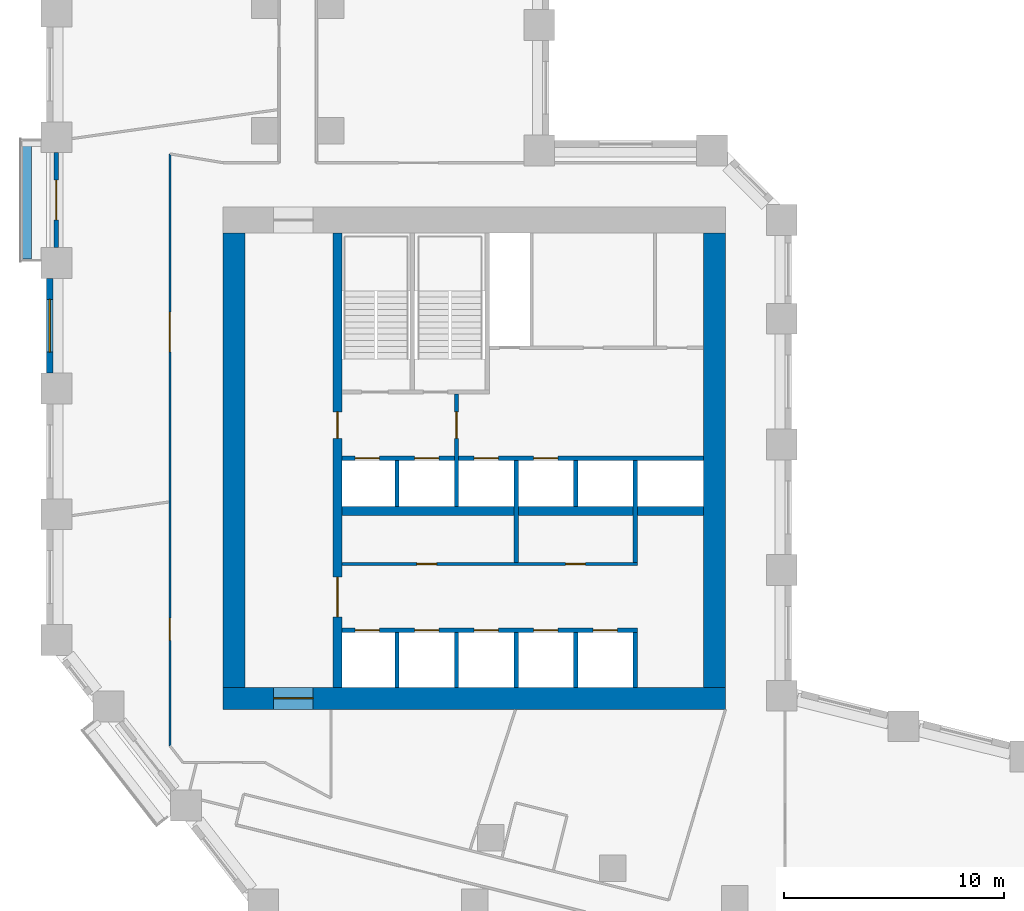
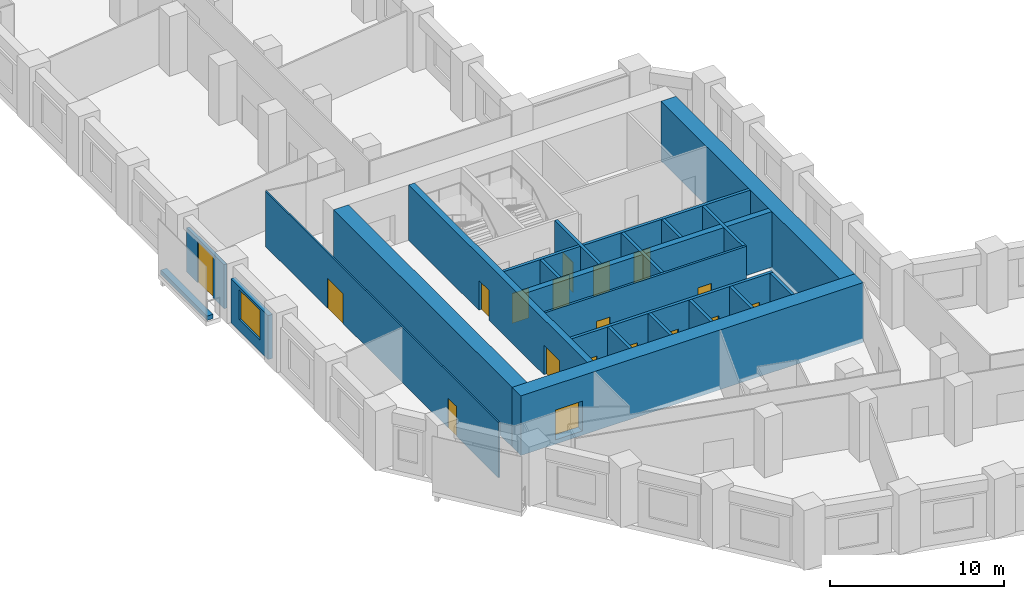
# One storey, part 5 of 12: 22 walls, 18 doors, 1 window, 19 openings.
"""IFC4 building model written with IfcOpenShell, lengths in metres."""

from ifc_helpers import new_model, si_unit, direction, frame, frame_2d, origin, place, context, subcontext, project, spatial, rectangle, extrude, material, layer, layer_set, type_object, element, fill, save


model = new_model("IFC4")

# Units and contexts
model_context = context("Model", 3, precision=1e-05, world=origin(), true_north=direction((0.0, 1.0)))
body_context = subcontext(model_context, "Body", "Model", "MODEL_VIEW")
ifc_project = project(units=[si_unit("LENGTHUNIT", "METRE"), si_unit("AREAUNIT", "SQUARE_METRE"), si_unit("VOLUMEUNIT", "CUBIC_METRE"), si_unit("PLANEANGLEUNIT", "RADIAN"), si_unit("MASSUNIT", "GRAM", prefix="KILO")], contexts=[model_context])

# Site, building, storey
site_placement = place(None, origin())
site = spatial("IfcSite", under=ifc_project, at=site_placement, CompositionType="ELEMENT")
building_placement = place(site_placement, origin())
building = spatial("IfcBuilding", under=site, at=building_placement, Name="Meshkara Civic Tower", CompositionType="ELEMENT")
storey_placement = place(building_placement, frame((0.0, 0.0, 58.199951171875)))
storey = spatial("IfcBuildingStorey", under=building, at=storey_placement, Name="L12", CompositionType="ELEMENT", Elevation=58.199951171875)

# Wall, openings, doors
ifc_material_1 = material(Name="Blockwork", Category="masonry")
ifc_layer_1 = layer(ifc_material_1, 0.14990234375)
ifc_layer_set_1 = layer_set([ifc_layer_1], Name="Core partition 150")
wall_type_1 = type_object("IfcWallType", Name="Core partition 150", PredefinedType="PARTITIONING", material=ifc_layer_set_1)
wall_1_placement = place(storey_placement, frame((13.39990234375, 20.699951171875, 0.0), z_axis=(0.0, 0.0, 1.0), x_axis=(1.0, 0.0, 0.0)))
wall_1 = element("IfcWall", 1, at=wall_1_placement, inside=storey, type_object=wall_type_1, Name="L12-C006", PredefinedType="PARTITIONING", context=body_context, shape_type="SweptSolid", body=[
    extrude(rectangle(XDim=13.400146484375, YDim=0.14990234375, at=frame_2d((6.7001953125, 0.0))), origin(), (0.0, 0.0, 1.0), 3.900146484375),
])
opening_1_placement = place(wall_1_placement, frame((3.39990234375, 0.0, 0.0)))
opening_1 = element("IfcOpeningElement", 2, at=opening_1_placement, cuts=wall_1, Name="Opening L12-K010", PredefinedType="OPENING", context=body_context, shape_type="SweptSolid", body=[
    extrude(rectangle(XDim=0.89990234375, YDim=2.10009765625, at=frame_2d((0.449951171875, 1.050048828125))), frame((0.0, 0.0849609375, 0.0), z_axis=(0.0, -1.0, 0.0), x_axis=(1.0, 0.0, 0.0)), (0.0, 0.0, 1.0), 0.169921875),
])
opening_2_placement = place(wall_1_placement, frame((10.14990234375, 0.0, 0.0)))
opening_2 = element("IfcOpeningElement", 3, at=opening_2_placement, cuts=wall_1, Name="Opening L12-K011", PredefinedType="OPENING", context=body_context, shape_type="SweptSolid", body=[
    extrude(rectangle(XDim=0.89990234375, YDim=2.10009765625, at=frame_2d((0.449951171875, 1.050048828125))), frame((0.0, 0.0849609375, 0.0), z_axis=(0.0, -1.0, 0.0), x_axis=(1.0, 0.0, 0.0)), (0.0, 0.0, 1.0), 0.169921875),
])
ifc_material_2 = material(Name="Timber door leaf in steel frame", Category="steel")
door_type_1 = type_object("IfcDoorType", Name="Core room door 900", OperationType="SINGLE_SWING_LEFT", PredefinedType="DOOR", material=ifc_material_2)
door_1_placement = place(opening_1_placement, origin())
door_1 = element("IfcDoor", 4, at=door_1_placement, inside=storey, type_object=door_type_1, Name="L12-K010", OperationType="SINGLE_SWING_RIGHT", OverallHeight=2.10009765625, OverallWidth=0.89990234375, PredefinedType="DOOR", context=body_context, shape_type="SweptSolid", body=[
    extrude(rectangle(XDim=0.89990234375, YDim=2.10009765625, at=frame_2d((0.449951171875, 1.050048828125))), frame((0.0, 0.02490234375, 0.0), z_axis=(0.0, -1.0, 0.0), x_axis=(1.0, 0.0, 0.0)), (0.0, 0.0, 1.0), 0.050048828125),
])
fill(opening_1, door_1)
door_2_placement = place(opening_2_placement, origin())
door_2 = element("IfcDoor", 5, at=door_2_placement, inside=storey, type_object=door_type_1, Name="L12-K011", OperationType="SINGLE_SWING_RIGHT", OverallHeight=2.10009765625, OverallWidth=0.89990234375, PredefinedType="DOOR", context=body_context, shape_type="SweptSolid", body=[
    extrude(rectangle(XDim=0.89990234375, YDim=2.10009765625, at=frame_2d((0.449951171875, 1.050048828125))), frame((0.0, 0.02490234375, 0.0), z_axis=(0.0, -1.0, 0.0), x_axis=(1.0, 0.0, 0.0)), (0.0, 0.0, 1.0), 0.050048828125),
])
fill(opening_2, door_2)

# Wall, opening, door
ifc_material_3 = material(Name="Concrete C80", Category="concrete")
ifc_layer_2 = layer(ifc_material_3, 1.0)
ifc_layer_set_2 = layer_set([ifc_layer_2], Name="Core ring wall 1000 C80")
wall_type_2 = type_object("IfcWallType", Name="Core ring wall 1000 C80", PredefinedType="SHEAR", material=ifc_layer_set_2)
wall_2_placement = place(storey_placement, frame((8.0, 14.60009765625, -0.300048828125), z_axis=(0.0, 0.0, 1.0), x_axis=(1.0, 0.0, 0.0)))
wall_2 = element("IfcWall", 6, at=wall_2_placement, inside=storey, type_object=wall_type_2, Name="L12-C001", PredefinedType="SHEAR", context=body_context, shape_type="SweptSolid", body=[
    extrude(rectangle(XDim=22.800048828125, YDim=1.0, at=frame_2d((11.39990234375, 0.0))), origin(), (0.0, 0.0, 1.0), 4.2001953125),
])
opening_3_placement = place(wall_2_placement, frame((2.300048828125, 0.0, 0.300048828125)))
opening_3 = element("IfcOpeningElement", 7, at=opening_3_placement, cuts=wall_2, Name="Opening L12-K021", PredefinedType="OPENING", context=body_context, shape_type="SweptSolid", body=[
    extrude(rectangle(XDim=1.800048828125, YDim=2.10009765625, at=frame_2d((0.89990234375, 1.050048828125))), frame((0.0, 0.510009765625, 0.0), z_axis=(0.0, -1.0, 0.0), x_axis=(1.0, 0.0, 0.0)), (0.0, 0.0, 1.0), 1.02001953125),
])
ifc_material_4 = material(Name="Fire-rated door leaf in steel frame", Category="steel")
door_type_2 = type_object("IfcDoorType", Name="Core double door 1800 EI 60", OperationType="DOUBLE_DOOR_SINGLE_SWING", PredefinedType="DOOR", material=ifc_material_4)
door_3_placement = place(opening_3_placement, origin())
door_3 = element("IfcDoor", 8, at=door_3_placement, inside=storey, type_object=door_type_2, Name="L12-K021", OperationType="DOUBLE_DOOR_SINGLE_SWING", OverallHeight=2.10009765625, OverallWidth=1.800048828125, PredefinedType="DOOR", context=body_context, shape_type="SweptSolid", body=[
    extrude(rectangle(XDim=1.800048828125, YDim=2.10009765625, at=frame_2d((0.89990234375, 1.050048828125))), frame((0.0, 0.02490234375, 0.0), z_axis=(0.0, -1.0, 0.0), x_axis=(1.0, 0.0, 0.0)), (0.0, 0.0, 1.0), 0.050048828125),
])
fill(opening_3, door_3)

# Walls
for number, where, z_axis, x_axis, name in (
    (9, (8.5, 15.10009765625, -0.300048828125), (0.0, 0.0, 1.0), (0.0, 1.0, 0.0), "L12-C003"),
    (10, (30.300048828125, 15.10009765625, -0.300048828125), (0.0, 0.0, 1.0), (0.0, 1.0, 0.0), "L12-C004"),
):
    element("IfcWall", number, at=place(storey_placement, frame(where, z_axis=z_axis, x_axis=x_axis)), inside=storey, type_object=wall_type_2, Name=name, PredefinedType="SHEAR", context=body_context, shape_type="SweptSolid", body=[
        extrude(rectangle(XDim=20.599853515625, YDim=1.0, at=frame_2d((10.2998046875, 0.0))), origin(), (0.0, 0.0, 1.0), 4.2001953125),
    ])
ifc_material_5 = material(Name="Concrete C80", Category="concrete")
ifc_layer_3 = layer(ifc_material_5, 0.39990234375)
ifc_layer_set_3 = layer_set([ifc_layer_3], Name="Core shear wall 400 C80")
wall_type_3 = type_object("IfcWallType", Name="Core shear wall 400 C80", PredefinedType="SHEAR", material=ifc_layer_set_3)
wall_3_placement = place(storey_placement, frame((13.39990234375, 23.10009765625, 0.0), z_axis=(0.0, 0.0, 1.0), x_axis=(1.0, 0.0, 0.0)))
element("IfcWall", 11, at=wall_3_placement, inside=storey, type_object=wall_type_3, Name="L12-C007", PredefinedType="SHEAR", context=body_context, shape_type="SweptSolid", body=[
    extrude(rectangle(XDim=16.400146484375, YDim=0.39990234375, at=frame_2d((8.2001953125, 0.0))), origin(), (0.0, 0.0, 1.0), 3.900146484375),
])

# Wall, openings, doors
wall_4_placement = place(storey_placement, frame((13.199951171875, 15.10009765625, 0.0), z_axis=(0.0, 0.0, 1.0), x_axis=(0.0, 1.0, 0.0)))
wall_4 = element("IfcWall", 12, at=wall_4_placement, inside=storey, type_object=wall_type_3, Name="L12-C011", PredefinedType="SHEAR", context=body_context, shape_type="SweptSolid", body=[
    extrude(rectangle(XDim=20.599853515625, YDim=0.39990234375, at=frame_2d((10.2998046875, 0.0))), origin(), (0.0, 0.0, 1.0), 3.900146484375),
])
opening_4_placement = place(wall_4_placement, frame((3.199951171875, 0.0, 0.0)))
opening_4 = element("IfcOpeningElement", 13, at=opening_4_placement, cuts=wall_4, Name="Opening L12-K017", PredefinedType="OPENING", context=body_context, shape_type="SweptSolid", body=[
    extrude(rectangle(XDim=1.800048828125, YDim=2.10009765625, at=frame_2d((0.89990234375, 1.050048828125))), frame((0.0, 0.2099609375, 0.0), z_axis=(0.0, -1.0, 0.0), x_axis=(1.0, 0.0, 0.0)), (0.0, 0.0, 1.0), 0.419921875),
])
opening_5_placement = place(wall_4_placement, frame((11.300048828125, 0.0, 0.0)))
opening_5 = element("IfcOpeningElement", 14, at=opening_5_placement, cuts=wall_4, Name="Opening L12-K018", PredefinedType="OPENING", context=body_context, shape_type="SweptSolid", body=[
    extrude(rectangle(XDim=1.199951171875, YDim=2.10009765625, at=frame_2d((0.60009765625, 1.050048828125))), frame((0.0, 0.2099609375, 0.0), z_axis=(0.0, -1.0, 0.0), x_axis=(1.0, 0.0, 0.0)), (0.0, 0.0, 1.0), 0.419921875),
])
door_4_placement = place(opening_4_placement, origin())
door_4 = element("IfcDoor", 15, at=door_4_placement, inside=storey, type_object=door_type_2, Name="L12-K017", OperationType="DOUBLE_DOOR_SINGLE_SWING", OverallHeight=2.10009765625, OverallWidth=1.800048828125, PredefinedType="DOOR", context=body_context, shape_type="SweptSolid", body=[
    extrude(rectangle(XDim=1.800048828125, YDim=2.10009765625, at=frame_2d((0.89990234375, 1.050048828125))), frame((0.0, 0.02490234375, 0.0), z_axis=(0.0, -1.0, 0.0), x_axis=(1.0, 0.0, 0.0)), (0.0, 0.0, 1.0), 0.050048828125),
])
fill(opening_4, door_4)
ifc_material_6 = material(Name="Fire-rated door leaf in steel frame", Category="steel")
door_type_3 = type_object("IfcDoorType", Name="Fire-fighting lobby door 1200 EI 120", OperationType="SINGLE_SWING_LEFT", PredefinedType="DOOR", material=ifc_material_6)
door_5_placement = place(opening_5_placement, origin())
door_5 = element("IfcDoor", 16, at=door_5_placement, inside=storey, type_object=door_type_3, Name="L12-K018", OperationType="SINGLE_SWING_LEFT", OverallHeight=2.10009765625, OverallWidth=1.199951171875, PredefinedType="DOOR", context=body_context, shape_type="SweptSolid", body=[
    extrude(rectangle(XDim=1.199951171875, YDim=2.10009765625, at=frame_2d((0.60009765625, 1.050048828125))), frame((0.0, 0.02490234375, 0.0), z_axis=(0.0, -1.0, 0.0), x_axis=(1.0, 0.0, 0.0)), (0.0, 0.0, 1.0), 0.050048828125),
])
fill(opening_5, door_5)

ifc_material_7 = material(Name="Corridor wall 100")
ifc_layer_4 = layer(ifc_material_7, 0.10009765625)
ifc_layer_set_4 = layer_set([ifc_layer_4], Name="Corridor wall 100")
wall_type_4 = type_object("IfcWallType", Name="Corridor wall 100", PredefinedType="PARTITIONING", material=ifc_layer_set_4)
wall_5_placement = place(storey_placement, frame((5.60009765625, 39.300048828125, 0.0), z_axis=(0.0, 0.0, 1.0), x_axis=(0.0, -1.0, 0.0)))
wall_5 = element("IfcWall", 17, at=wall_5_placement, inside=storey, type_object=wall_type_4, Name="L12-W004", PredefinedType="PARTITIONING", context=body_context, shape_type="SweptSolid", body=[
    extrude(rectangle(XDim=26.85107421875, YDim=0.10009765625, at=frame_2d((13.425537109375, 0.0))), origin(), (0.0, 0.0, 1.0), 3.900146484375),
])
opening_6_placement = place(wall_5_placement, frame((21.06298828125, 0.0, 0.0)))
opening_6 = element("IfcOpeningElement", 18, at=opening_6_placement, cuts=wall_5, Name="Opening L12-D017", PredefinedType="OPENING", context=body_context, shape_type="SweptSolid", body=[
    extrude(rectangle(XDim=1.0, YDim=2.10009765625, at=frame_2d((0.5, 1.050048828125))), frame((0.0, 0.06005859375, 0.0), z_axis=(0.0, -1.0, 0.0), x_axis=(1.0, 0.0, 0.0)), (0.0, 0.0, 1.0), 0.1201171875),
])
opening_7_placement = place(wall_5_placement, frame((7.179931640625, 0.0, 0.0)))
opening_7 = element("IfcOpeningElement", 19, at=opening_7_placement, cuts=wall_5, Name="Opening L12-D018", PredefinedType="OPENING", context=body_context, shape_type="SweptSolid", body=[
    extrude(rectangle(XDim=1.800048828125, YDim=2.10009765625, at=frame_2d((0.89990234375, 1.050048828125))), frame((0.0, 0.06005859375, 0.0), z_axis=(0.0, -1.0, 0.0), x_axis=(1.0, 0.0, 0.0)), (0.0, 0.0, 1.0), 0.1201171875),
])
ifc_material_8 = material(Name="Door 1000 x 2100")
door_type_4 = type_object("IfcDoorType", Name="Door 1000 x 2100", OperationType="SINGLE_SWING_LEFT", PredefinedType="DOOR", material=ifc_material_8)
door_6_placement = place(opening_6_placement, origin())
door_6 = element("IfcDoor", 20, at=door_6_placement, inside=storey, type_object=door_type_4, Name="L12-D017", OperationType="SINGLE_SWING_LEFT", OverallHeight=2.10009765625, OverallWidth=1.0, PredefinedType="DOOR", context=body_context, shape_type="SweptSolid", body=[
    extrude(rectangle(XDim=1.0, YDim=2.10009765625, at=frame_2d((0.5, 1.050048828125))), frame((0.0, 0.02490234375, 0.0), z_axis=(0.0, -1.0, 0.0), x_axis=(1.0, 0.0, 0.0)), (0.0, 0.0, 1.0), 0.050048828125),
])
fill(opening_6, door_6)
ifc_material_9 = material(Name="Door pair 1800 x 2100")
door_type_5 = type_object("IfcDoorType", Name="Door pair 1800 x 2100", OperationType="SINGLE_SWING_LEFT", PredefinedType="DOOR", material=ifc_material_9)
door_7_placement = place(opening_7_placement, origin())
door_7 = element("IfcDoor", 21, at=door_7_placement, inside=storey, type_object=door_type_5, Name="L12-D018", OperationType="DOUBLE_DOOR_SINGLE_SWING", OverallHeight=2.10009765625, OverallWidth=1.800048828125, PredefinedType="DOOR", context=body_context, shape_type="SweptSolid", body=[
    extrude(rectangle(XDim=1.800048828125, YDim=2.10009765625, at=frame_2d((0.89990234375, 1.050048828125))), frame((0.0, 0.02490234375, 0.0), z_axis=(0.0, -1.0, 0.0), x_axis=(1.0, 0.0, 0.0)), (0.0, 0.0, 1.0), 0.050048828125),
])
fill(opening_7, door_7)

# Wall, opening, window
ifc_material_10 = material(Name="Insulated infill panel with bronze anodised aluminium cladding", Category="aluminium")
ifc_layer_5 = layer(ifc_material_10, 0.300048828125)
ifc_layer_set_5 = layer_set([ifc_layer_5], Name="EXTERNAL INFILL WALL 300")
wall_type_5 = type_object("IfcWallType", Name="EXTERNAL INFILL WALL 300", PredefinedType="SOLIDWALL", material=ifc_layer_set_5)
wall_6_placement = place(storey_placement, frame((0.14990234375, 33.655029296875, 0.0), z_axis=(0.0, 0.0, 1.0), x_axis=(0.0, -1.0, 0.0)))
wall_6 = element("IfcWall", 22, at=wall_6_placement, inside=storey, type_object=wall_type_5, Name="External wall", PredefinedType="SOLIDWALL", context=body_context, shape_type="SweptSolid", body=[
    extrude(rectangle(XDim=4.300048828125, YDim=0.300048828125, at=frame_2d((2.14990234375, 0.0))), origin(), (0.0, 0.0, 1.0), 3.10009765625),
])
opening_8_placement = place(wall_6_placement, frame((0.949951171875, 0.0, 0.800048828125)))
opening_8 = element("IfcOpeningElement", 23, at=opening_8_placement, cuts=wall_6, Name="Opening W7", PredefinedType="OPENING", context=body_context, shape_type="SweptSolid", body=[
    extrude(rectangle(XDim=2.39990234375, YDim=2.10009765625, at=frame_2d((1.199951171875, 1.050048828125))), frame((0.0, 0.159912109375, 0.0), z_axis=(0.0, -1.0, 0.0), x_axis=(1.0, 0.0, 0.0)), (0.0, 0.0, 1.0), 0.320068359375),
])
ifc_material_11 = material(Name="Tinted double glazing", Category="glass")
window_type = type_object("IfcWindowType", Name="WINDOW 2400x2100", PartitioningType="DOUBLE_PANEL_VERTICAL", PredefinedType="WINDOW", material=ifc_material_11)
window_placement = place(opening_8_placement, origin())
window = element("IfcWindow", 24, at=window_placement, inside=storey, type_object=window_type, Name="Window", OverallHeight=2.10009765625, OverallWidth=2.39990234375, PartitioningType="DOUBLE_PANEL_VERTICAL", PredefinedType="WINDOW", context=body_context, shape_type="SweptSolid", body=[
    extrude(rectangle(XDim=2.39990234375, YDim=2.10009765625, at=frame_2d((1.199951171875, 1.050048828125))), frame((0.0, 0.030029296875, 0.0), z_axis=(0.0, -1.0, 0.0), x_axis=(1.0, 0.0, 0.0)), (0.0, 0.0, 1.0), 0.06005859375),
])
fill(opening_8, window)

# Wall, opening, door
ifc_material_12 = material(Name="Insulated infill panel with bronze anodised aluminium cladding", Category="aluminium")
ifc_layer_6 = layer(ifc_material_12, 0.199951171875)
ifc_layer_set_6 = layer_set([ifc_layer_6], Name="LOGGIA BACK WALL 200")
wall_type_6 = type_object("IfcWallType", Name="LOGGIA BACK WALL 200", PredefinedType="SOLIDWALL", material=ifc_layer_set_6)
wall_7_placement = place(storey_placement, frame((0.449951171875, 39.35400390625, 0.0), z_axis=(0.0, 0.0, 1.0), x_axis=(0.0, -1.0, 0.0)))
wall_7 = element("IfcWall", 25, at=wall_7_placement, inside=storey, type_object=wall_type_6, Name="Loggia wall", PredefinedType="SOLIDWALL", context=body_context, shape_type="SweptSolid", body=[
    extrude(rectangle(XDim=4.298095703125, YDim=0.199951171875, at=frame_2d((2.14892578125, 0.0))), origin(), (0.0, 0.0, 1.0), 3.10009765625),
])
opening_9_placement = place(wall_7_placement, frame((1.2490234375, 0.0, 0.0)))
opening_9 = element("IfcOpeningElement", 26, at=opening_9_placement, cuts=wall_7, Name="Opening L12-L002", PredefinedType="OPENING", context=body_context, shape_type="SweptSolid", body=[
    extrude(rectangle(XDim=1.800048828125, YDim=2.89990234375, at=frame_2d((0.89990234375, 1.449951171875))), frame((0.0, 0.10986328125, 0.0), z_axis=(0.0, -1.0, 0.0), x_axis=(1.0, 0.0, 0.0)), (0.0, 0.0, 1.0), 0.219970703125),
])
ifc_material_13 = material(Name="Tinted double glazing", Category="glass")
door_type_6 = type_object("IfcDoorType", Name="LOGGIA DOOR 1800x2900", OperationType="DOUBLE_DOOR_SINGLE_SWING", PredefinedType="DOOR", material=ifc_material_13)
door_8_placement = place(opening_9_placement, origin())
door_8 = element("IfcDoor", 27, at=door_8_placement, inside=storey, type_object=door_type_6, Name="L12-L002", OperationType="DOUBLE_DOOR_SINGLE_SWING", OverallHeight=2.89990234375, OverallWidth=1.800048828125, PredefinedType="DOOR", context=body_context, shape_type="SweptSolid", body=[
    extrude(rectangle(XDim=1.800048828125, YDim=2.89990234375, at=frame_2d((0.89990234375, 1.449951171875))), frame((0.0, 0.02490234375, 0.0), z_axis=(0.0, -1.0, 0.0), x_axis=(1.0, 0.0, 0.0)), (0.0, 0.0, 1.0), 0.050048828125),
])
fill(opening_9, door_8)

# Wall
ifc_material_14 = material(Name="Concrete C40", Category="concrete")
ifc_layer_7 = layer(ifc_material_14, 0.39990234375)
ifc_layer_set_7 = layer_set([ifc_layer_7], Name="PLANTER TRAY")
wall_type_7 = type_object("IfcWallType", Name="PLANTER TRAY", PredefinedType="SOLIDWALL", material=ifc_layer_set_7)
wall_8_placement = place(storey_placement, frame((-0.8798828125, 39.885009765625, 0.0), z_axis=(0.0, 0.0, 1.0), x_axis=(0.0, -1.0, 0.0)))
element("IfcWall", 28, at=wall_8_placement, inside=storey, type_object=wall_type_7, Name="Planter", PredefinedType="SOLIDWALL", context=body_context, shape_type="SweptSolid", body=[
    extrude(rectangle(XDim=5.360107421875, YDim=0.39990234375, at=frame_2d((2.68017578125, 0.0))), origin(), (0.0, 0.0, 1.0), 0.300048828125),
])

# Wall, openings, doors
ifc_material_15 = material(Name="Concrete C40/50", Category="concrete")
ifc_layer_8 = layer(ifc_material_15, 0.199951171875)
ifc_layer_set_8 = layer_set([ifc_layer_8], Name="Shaft wall 200 C40/50")
wall_type_8 = type_object("IfcWallType", Name="Shaft wall 200 C40/50", PredefinedType="SOLIDWALL", material=ifc_layer_set_8)
wall_9_placement = place(storey_placement, frame((13.39990234375, 17.699951171875, 0.0), z_axis=(0.0, 0.0, 1.0), x_axis=(1.0, 0.0, 0.0)))
wall_9 = element("IfcWall", 29, at=wall_9_placement, inside=storey, type_object=wall_type_8, Name="L12-C005", PredefinedType="SOLIDWALL", context=body_context, shape_type="SweptSolid", body=[
    extrude(rectangle(XDim=13.400146484375, YDim=0.199951171875, at=frame_2d((6.7001953125, 0.0))), origin(), (0.0, 0.0, 1.0), 3.900146484375),
])
opening_10_placement = place(wall_9_placement, frame((0.60009765625, 0.0, 0.0)))
opening_10 = element("IfcOpeningElement", 30, at=opening_10_placement, cuts=wall_9, Name="Opening L12-K001", PredefinedType="OPENING", context=body_context, shape_type="SweptSolid", body=[
    extrude(rectangle(XDim=1.10009765625, YDim=2.10009765625, at=frame_2d((0.550048828125, 1.050048828125))), frame((0.0, 0.10986328125, 0.0), z_axis=(0.0, -1.0, 0.0), x_axis=(1.0, 0.0, 0.0)), (0.0, 0.0, 1.0), 0.219970703125),
])
opening_11_placement = place(wall_9_placement, frame((3.300048828125, 0.0, 0.0)))
opening_11 = element("IfcOpeningElement", 31, at=opening_11_placement, cuts=wall_9, Name="Opening L12-K002", PredefinedType="OPENING", context=body_context, shape_type="SweptSolid", body=[
    extrude(rectangle(XDim=1.10009765625, YDim=2.10009765625, at=frame_2d((0.550048828125, 1.050048828125))), frame((0.0, 0.10986328125, 0.0), z_axis=(0.0, -1.0, 0.0), x_axis=(1.0, 0.0, 0.0)), (0.0, 0.0, 1.0), 0.219970703125),
])
opening_12_placement = place(wall_9_placement, frame((6.0, 0.0, 0.0)))
opening_12 = element("IfcOpeningElement", 32, at=opening_12_placement, cuts=wall_9, Name="Opening L12-K003", PredefinedType="OPENING", context=body_context, shape_type="SweptSolid", body=[
    extrude(rectangle(XDim=1.10009765625, YDim=2.10009765625, at=frame_2d((0.550048828125, 1.050048828125))), frame((0.0, 0.10986328125, 0.0), z_axis=(0.0, -1.0, 0.0), x_axis=(1.0, 0.0, 0.0)), (0.0, 0.0, 1.0), 0.219970703125),
])
opening_13_placement = place(wall_9_placement, frame((8.699951171875, 0.0, 0.0)))
opening_13 = element("IfcOpeningElement", 33, at=opening_13_placement, cuts=wall_9, Name="Opening L12-K004", PredefinedType="OPENING", context=body_context, shape_type="SweptSolid", body=[
    extrude(rectangle(XDim=1.10009765625, YDim=2.10009765625, at=frame_2d((0.550048828125, 1.050048828125))), frame((0.0, 0.10986328125, 0.0), z_axis=(0.0, -1.0, 0.0), x_axis=(1.0, 0.0, 0.0)), (0.0, 0.0, 1.0), 0.219970703125),
])
opening_14_placement = place(wall_9_placement, frame((11.39990234375, 0.0, 0.0)))
opening_14 = element("IfcOpeningElement", 34, at=opening_14_placement, cuts=wall_9, Name="Opening L12-K005", PredefinedType="OPENING", context=body_context, shape_type="SweptSolid", body=[
    extrude(rectangle(XDim=1.10009765625, YDim=2.10009765625, at=frame_2d((0.550048828125, 1.050048828125))), frame((0.0, 0.10986328125, 0.0), z_axis=(0.0, -1.0, 0.0), x_axis=(1.0, 0.0, 0.0)), (0.0, 0.0, 1.0), 0.219970703125),
])
ifc_material_16 = material(Name="Stainless steel landing door", Category="steel")
door_type_7 = type_object("IfcDoorType", Name="Lift landing door 1100", OperationType="SLIDING_TO_LEFT", PredefinedType="DOOR", material=ifc_material_16)
door_9_placement = place(opening_10_placement, origin())
door_9 = element("IfcDoor", 35, at=door_9_placement, inside=storey, type_object=door_type_7, Name="L12-K001", OperationType="SLIDING_TO_LEFT", OverallHeight=2.10009765625, OverallWidth=1.10009765625, PredefinedType="DOOR", context=body_context, shape_type="SweptSolid", body=[
    extrude(rectangle(XDim=1.10009765625, YDim=2.10009765625, at=frame_2d((0.550048828125, 1.050048828125))), frame((0.0, 0.02490234375, 0.0), z_axis=(0.0, -1.0, 0.0), x_axis=(1.0, 0.0, 0.0)), (0.0, 0.0, 1.0), 0.050048828125),
])
fill(opening_10, door_9)
door_10_placement = place(opening_11_placement, origin())
door_10 = element("IfcDoor", 36, at=door_10_placement, inside=storey, type_object=door_type_7, Name="L12-K002", OperationType="SLIDING_TO_LEFT", OverallHeight=2.10009765625, OverallWidth=1.10009765625, PredefinedType="DOOR", context=body_context, shape_type="SweptSolid", body=[
    extrude(rectangle(XDim=1.10009765625, YDim=2.10009765625, at=frame_2d((0.550048828125, 1.050048828125))), frame((0.0, 0.02490234375, 0.0), z_axis=(0.0, -1.0, 0.0), x_axis=(1.0, 0.0, 0.0)), (0.0, 0.0, 1.0), 0.050048828125),
])
fill(opening_11, door_10)
door_11_placement = place(opening_12_placement, origin())
door_11 = element("IfcDoor", 37, at=door_11_placement, inside=storey, type_object=door_type_7, Name="L12-K003", OperationType="SLIDING_TO_LEFT", OverallHeight=2.10009765625, OverallWidth=1.10009765625, PredefinedType="DOOR", context=body_context, shape_type="SweptSolid", body=[
    extrude(rectangle(XDim=1.10009765625, YDim=2.10009765625, at=frame_2d((0.550048828125, 1.050048828125))), frame((0.0, 0.02490234375, 0.0), z_axis=(0.0, -1.0, 0.0), x_axis=(1.0, 0.0, 0.0)), (0.0, 0.0, 1.0), 0.050048828125),
])
fill(opening_12, door_11)
door_12_placement = place(opening_13_placement, origin())
door_12 = element("IfcDoor", 38, at=door_12_placement, inside=storey, type_object=door_type_7, Name="L12-K004", OperationType="SLIDING_TO_LEFT", OverallHeight=2.10009765625, OverallWidth=1.10009765625, PredefinedType="DOOR", context=body_context, shape_type="SweptSolid", body=[
    extrude(rectangle(XDim=1.10009765625, YDim=2.10009765625, at=frame_2d((0.550048828125, 1.050048828125))), frame((0.0, 0.02490234375, 0.0), z_axis=(0.0, -1.0, 0.0), x_axis=(1.0, 0.0, 0.0)), (0.0, 0.0, 1.0), 0.050048828125),
])
fill(opening_13, door_12)
door_13_placement = place(opening_14_placement, origin())
door_13 = element("IfcDoor", 39, at=door_13_placement, inside=storey, type_object=door_type_7, Name="L12-K005", OperationType="SLIDING_TO_LEFT", OverallHeight=2.10009765625, OverallWidth=1.10009765625, PredefinedType="DOOR", context=body_context, shape_type="SweptSolid", body=[
    extrude(rectangle(XDim=1.10009765625, YDim=2.10009765625, at=frame_2d((0.550048828125, 1.050048828125))), frame((0.0, 0.02490234375, 0.0), z_axis=(0.0, -1.0, 0.0), x_axis=(1.0, 0.0, 0.0)), (0.0, 0.0, 1.0), 0.050048828125),
])
fill(opening_14, door_13)

wall_10_placement = place(storey_placement, frame((13.39990234375, 25.5, 0.0), z_axis=(0.0, 0.0, 1.0), x_axis=(1.0, 0.0, 0.0)))
wall_10 = element("IfcWall", 40, at=wall_10_placement, inside=storey, type_object=wall_type_8, Name="L12-C008", PredefinedType="SOLIDWALL", context=body_context, shape_type="SweptSolid", body=[
    extrude(rectangle(XDim=16.400146484375, YDim=0.199951171875, at=frame_2d((8.2001953125, 0.0))), origin(), (0.0, 0.0, 1.0), 3.900146484375),
])
opening_15_placement = place(wall_10_placement, frame((0.60009765625, 0.0, 0.0)))
opening_15 = element("IfcOpeningElement", 41, at=opening_15_placement, cuts=wall_10, Name="Opening L12-K006", PredefinedType="OPENING", context=body_context, shape_type="SweptSolid", body=[
    extrude(rectangle(XDim=1.10009765625, YDim=2.10009765625, at=frame_2d((0.550048828125, 1.050048828125))), frame((0.0, 0.10986328125, 0.0), z_axis=(0.0, -1.0, 0.0), x_axis=(1.0, 0.0, 0.0)), (0.0, 0.0, 1.0), 0.219970703125),
])
opening_16_placement = place(wall_10_placement, frame((3.300048828125, 0.0, 0.0)))
opening_16 = element("IfcOpeningElement", 42, at=opening_16_placement, cuts=wall_10, Name="Opening L12-K007", PredefinedType="OPENING", context=body_context, shape_type="SweptSolid", body=[
    extrude(rectangle(XDim=1.10009765625, YDim=2.10009765625, at=frame_2d((0.550048828125, 1.050048828125))), frame((0.0, 0.10986328125, 0.0), z_axis=(0.0, -1.0, 0.0), x_axis=(1.0, 0.0, 0.0)), (0.0, 0.0, 1.0), 0.219970703125),
])
opening_17_placement = place(wall_10_placement, frame((6.0, 0.0, 0.0)))
opening_17 = element("IfcOpeningElement", 43, at=opening_17_placement, cuts=wall_10, Name="Opening L12-K008", PredefinedType="OPENING", context=body_context, shape_type="SweptSolid", body=[
    extrude(rectangle(XDim=1.10009765625, YDim=2.10009765625, at=frame_2d((0.550048828125, 1.050048828125))), frame((0.0, 0.10986328125, 0.0), z_axis=(0.0, -1.0, 0.0), x_axis=(1.0, 0.0, 0.0)), (0.0, 0.0, 1.0), 0.219970703125),
])
opening_18_placement = place(wall_10_placement, frame((8.699951171875, 0.0, 0.0)))
opening_18 = element("IfcOpeningElement", 44, at=opening_18_placement, cuts=wall_10, Name="Opening L12-K009", PredefinedType="OPENING", context=body_context, shape_type="SweptSolid", body=[
    extrude(rectangle(XDim=1.10009765625, YDim=2.10009765625, at=frame_2d((0.550048828125, 1.050048828125))), frame((0.0, 0.10986328125, 0.0), z_axis=(0.0, -1.0, 0.0), x_axis=(1.0, 0.0, 0.0)), (0.0, 0.0, 1.0), 0.219970703125),
])
door_14_placement = place(opening_15_placement, origin())
door_14 = element("IfcDoor", 45, at=door_14_placement, inside=storey, type_object=door_type_7, Name="L12-K006", OperationType="SLIDING_TO_LEFT", OverallHeight=2.10009765625, OverallWidth=1.10009765625, PredefinedType="DOOR", context=body_context, shape_type="SweptSolid", body=[
    extrude(rectangle(XDim=1.10009765625, YDim=2.10009765625, at=frame_2d((0.550048828125, 1.050048828125))), frame((0.0, 0.02490234375, 0.0), z_axis=(0.0, -1.0, 0.0), x_axis=(1.0, 0.0, 0.0)), (0.0, 0.0, 1.0), 0.050048828125),
])
fill(opening_15, door_14)
door_15_placement = place(opening_16_placement, origin())
door_15 = element("IfcDoor", 46, at=door_15_placement, inside=storey, type_object=door_type_7, Name="L12-K007", OperationType="SLIDING_TO_LEFT", OverallHeight=2.10009765625, OverallWidth=1.10009765625, PredefinedType="DOOR", context=body_context, shape_type="SweptSolid", body=[
    extrude(rectangle(XDim=1.10009765625, YDim=2.10009765625, at=frame_2d((0.550048828125, 1.050048828125))), frame((0.0, 0.02490234375, 0.0), z_axis=(0.0, -1.0, 0.0), x_axis=(1.0, 0.0, 0.0)), (0.0, 0.0, 1.0), 0.050048828125),
])
fill(opening_16, door_15)
door_16_placement = place(opening_17_placement, origin())
door_16 = element("IfcDoor", 47, at=door_16_placement, inside=storey, type_object=door_type_7, Name="L12-K008", OperationType="SLIDING_TO_LEFT", OverallHeight=2.10009765625, OverallWidth=1.10009765625, PredefinedType="DOOR", context=body_context, shape_type="SweptSolid", body=[
    extrude(rectangle(XDim=1.10009765625, YDim=2.10009765625, at=frame_2d((0.550048828125, 1.050048828125))), frame((0.0, 0.02490234375, 0.0), z_axis=(0.0, -1.0, 0.0), x_axis=(1.0, 0.0, 0.0)), (0.0, 0.0, 1.0), 0.050048828125),
])
fill(opening_17, door_16)
door_17_placement = place(opening_18_placement, origin())
door_17 = element("IfcDoor", 48, at=door_17_placement, inside=storey, type_object=door_type_7, Name="L12-K009", OperationType="SLIDING_TO_LEFT", OverallHeight=2.10009765625, OverallWidth=1.10009765625, PredefinedType="DOOR", context=body_context, shape_type="SweptSolid", body=[
    extrude(rectangle(XDim=1.10009765625, YDim=2.10009765625, at=frame_2d((0.550048828125, 1.050048828125))), frame((0.0, 0.02490234375, 0.0), z_axis=(0.0, -1.0, 0.0), x_axis=(1.0, 0.0, 0.0)), (0.0, 0.0, 1.0), 0.050048828125),
])
fill(opening_18, door_17)

# Walls
wall_11_placement = place(storey_placement, frame((15.89990234375, 15.10009765625, 0.0), z_axis=(0.0, 0.0, 1.0), x_axis=(0.0, 1.0, 0.0)))
element("IfcWall", 49, at=wall_11_placement, inside=storey, type_object=wall_type_8, Name="L12-C012", PredefinedType="SOLIDWALL", context=body_context, shape_type="SweptSolid", body=[
    extrude(rectangle(XDim=2.5, YDim=0.199951171875, at=frame_2d((1.25, 0.0))), origin(), (0.0, 0.0, 1.0), 3.900146484375),
])
wall_12_placement = place(storey_placement, frame((15.89990234375, 23.300048828125, 0.0), z_axis=(0.0, 0.0, 1.0), x_axis=(0.0, 1.0, 0.0)))
element("IfcWall", 50, at=wall_12_placement, inside=storey, type_object=wall_type_8, Name="L12-C013", PredefinedType="SOLIDWALL", context=body_context, shape_type="SweptSolid", body=[
    extrude(rectangle(XDim=2.099853515625, YDim=0.199951171875, at=frame_2d((1.0498046875, 0.0))), origin(), (0.0, 0.0, 1.0), 3.900146484375),
])
wall_13_placement = place(storey_placement, frame((18.60009765625, 15.10009765625, 0.0), z_axis=(0.0, 0.0, 1.0), x_axis=(0.0, 1.0, 0.0)))
element("IfcWall", 51, at=wall_13_placement, inside=storey, type_object=wall_type_8, Name="L12-C015", PredefinedType="SOLIDWALL", context=body_context, shape_type="SweptSolid", body=[
    extrude(rectangle(XDim=2.5, YDim=0.199951171875, at=frame_2d((1.25, 0.0))), origin(), (0.0, 0.0, 1.0), 3.900146484375),
])

# Wall, opening, door
wall_14_placement = place(storey_placement, frame((18.60009765625, 23.300048828125, 0.0), z_axis=(0.0, 0.0, 1.0), x_axis=(0.0, 1.0, 0.0)))
wall_14 = element("IfcWall", 52, at=wall_14_placement, inside=storey, type_object=wall_type_8, Name="L12-C016", PredefinedType="SOLIDWALL", context=body_context, shape_type="SweptSolid", body=[
    extrude(rectangle(XDim=5.099853515625, YDim=0.199951171875, at=frame_2d((2.5498046875, 0.0))), origin(), (0.0, 0.0, 1.0), 3.900146484375),
])
opening_19_placement = place(wall_14_placement, frame((3.10009765625, 0.0, 0.0)))
opening_19 = element("IfcOpeningElement", 53, at=opening_19_placement, cuts=wall_14, Name="Opening L12-K019", PredefinedType="OPENING", context=body_context, shape_type="SweptSolid", body=[
    extrude(rectangle(XDim=1.199951171875, YDim=2.10009765625, at=frame_2d((0.60009765625, 1.050048828125))), frame((0.0, 0.10986328125, 0.0), z_axis=(0.0, -1.0, 0.0), x_axis=(1.0, 0.0, 0.0)), (0.0, 0.0, 1.0), 0.219970703125),
])
door_18_placement = place(opening_19_placement, origin())
door_18 = element("IfcDoor", 54, at=door_18_placement, inside=storey, type_object=door_type_3, Name="L12-K019", OperationType="SINGLE_SWING_RIGHT", OverallHeight=2.10009765625, OverallWidth=1.199951171875, PredefinedType="DOOR", context=body_context, shape_type="SweptSolid", body=[
    extrude(rectangle(XDim=1.199951171875, YDim=2.10009765625, at=frame_2d((0.60009765625, 1.050048828125))), frame((0.0, 0.02490234375, 0.0), z_axis=(0.0, -1.0, 0.0), x_axis=(1.0, 0.0, 0.0)), (0.0, 0.0, 1.0), 0.050048828125),
])
fill(opening_19, door_18)

# Walls
wall_15_placement = place(storey_placement, frame((21.300048828125, 15.10009765625, 0.0), z_axis=(0.0, 0.0, 1.0), x_axis=(0.0, 1.0, 0.0)))
element("IfcWall", 55, at=wall_15_placement, inside=storey, type_object=wall_type_8, Name="L12-C018", PredefinedType="SOLIDWALL", context=body_context, shape_type="SweptSolid", body=[
    extrude(rectangle(XDim=2.5, YDim=0.199951171875, at=frame_2d((1.25, 0.0))), origin(), (0.0, 0.0, 1.0), 3.900146484375),
])
wall_16_placement = place(storey_placement, frame((21.300048828125, 20.77490234375, 0.0), z_axis=(0.0, 0.0, 1.0), x_axis=(0.0, 1.0, 0.0)))
element("IfcWall", 56, at=wall_16_placement, inside=storey, type_object=wall_type_8, Name="L12-C019", PredefinedType="SOLIDWALL", context=body_context, shape_type="SweptSolid", body=[
    extrude(rectangle(XDim=4.625, YDim=0.199951171875, at=frame_2d((2.3125, 0.0))), origin(), (0.0, 0.0, 1.0), 3.900146484375),
])
wall_17_placement = place(storey_placement, frame((24.0, 15.10009765625, 0.0), z_axis=(0.0, 0.0, 1.0), x_axis=(0.0, 1.0, 0.0)))
element("IfcWall", 57, at=wall_17_placement, inside=storey, type_object=wall_type_8, Name="L12-C021", PredefinedType="SOLIDWALL", context=body_context, shape_type="SweptSolid", body=[
    extrude(rectangle(XDim=2.5, YDim=0.199951171875, at=frame_2d((1.25, 0.0))), origin(), (0.0, 0.0, 1.0), 3.900146484375),
])
wall_18_placement = place(storey_placement, frame((24.0, 23.300048828125, 0.0), z_axis=(0.0, 0.0, 1.0), x_axis=(0.0, 1.0, 0.0)))
element("IfcWall", 58, at=wall_18_placement, inside=storey, type_object=wall_type_8, Name="L12-C022", PredefinedType="SOLIDWALL", context=body_context, shape_type="SweptSolid", body=[
    extrude(rectangle(XDim=2.099853515625, YDim=0.199951171875, at=frame_2d((1.0498046875, 0.0))), origin(), (0.0, 0.0, 1.0), 3.900146484375),
])
wall_19_placement = place(storey_placement, frame((26.699951171875, 15.10009765625, 0.0), z_axis=(0.0, 0.0, 1.0), x_axis=(0.0, 1.0, 0.0)))
element("IfcWall", 59, at=wall_19_placement, inside=storey, type_object=wall_type_8, Name="L12-C023", PredefinedType="SOLIDWALL", context=body_context, shape_type="SweptSolid", body=[
    extrude(rectangle(XDim=2.5, YDim=0.199951171875, at=frame_2d((1.25, 0.0))), origin(), (0.0, 0.0, 1.0), 3.900146484375),
])
wall_20_placement = place(storey_placement, frame((26.699951171875, 20.77490234375, 0.0), z_axis=(0.0, 0.0, 1.0), x_axis=(0.0, 1.0, 0.0)))
element("IfcWall", 60, at=wall_20_placement, inside=storey, type_object=wall_type_8, Name="L12-C024", PredefinedType="SOLIDWALL", context=body_context, shape_type="SweptSolid", body=[
    extrude(rectangle(XDim=4.625, YDim=0.199951171875, at=frame_2d((2.3125, 0.0))), origin(), (0.0, 0.0, 1.0), 3.900146484375),
])

save(model, "model.ifc")
